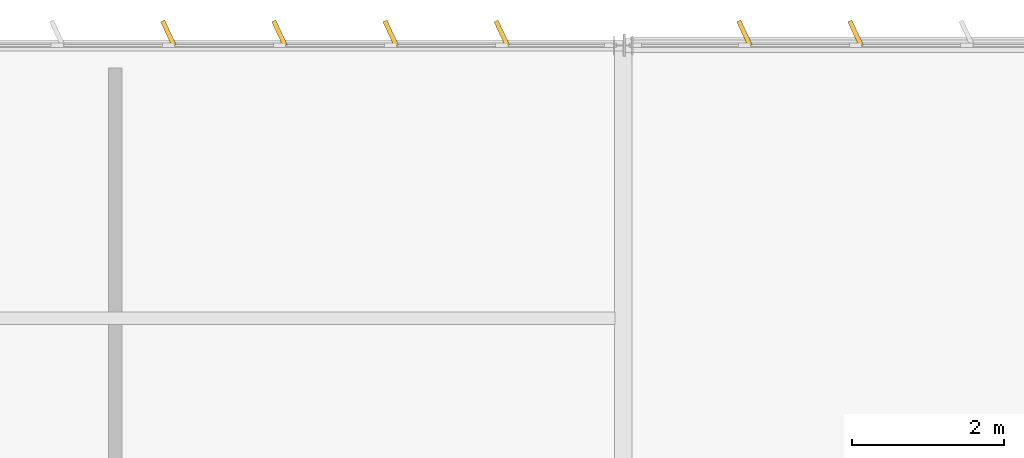
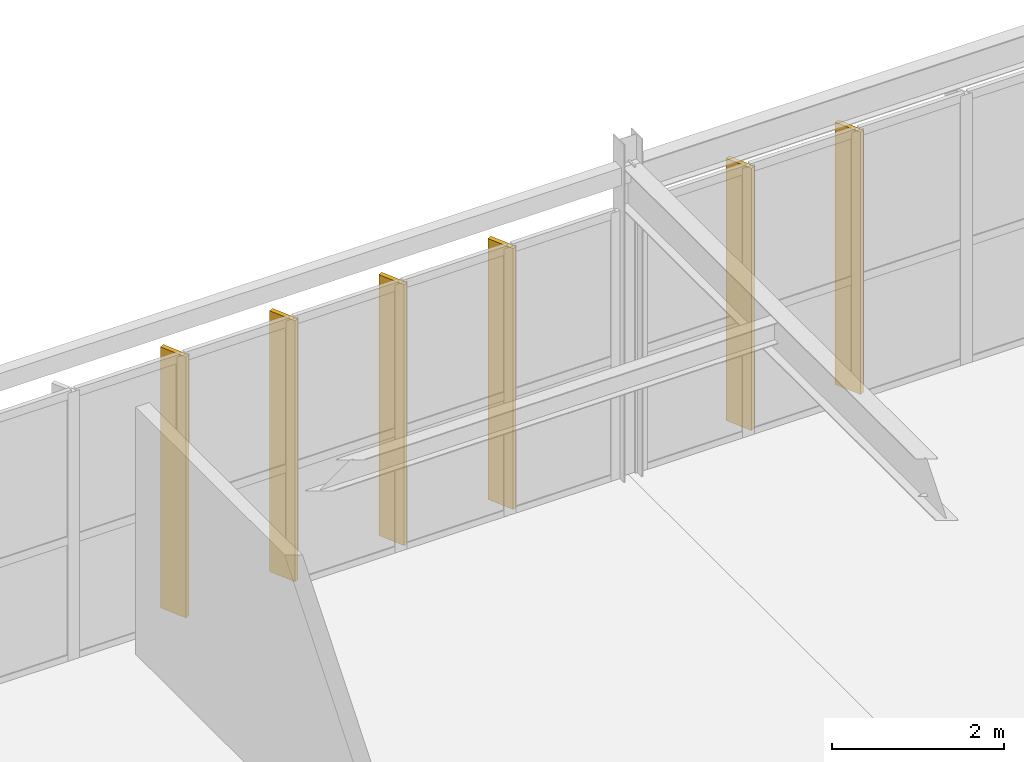
# One storey, part 210 of 226: 6 shading devices.
"""IFC4 building model written with IfcOpenShell, lengths in metres."""

from ifc_helpers import new_model, si_unit, direction, frame, origin, origin_2d, place, context, subcontext, project, spatial, rectangle, extrude, material, layer, layer_set, type_object, element, save


model = new_model("IFC4")

# Units and contexts
model_context = context("Model", 3, precision=1e-05, world=origin(), true_north=direction((0.0, 1.0)))
body_context = subcontext(model_context, "Body", "Model", "MODEL_VIEW")
ifc_project = project(units=[si_unit("LENGTHUNIT", "METRE"), si_unit("AREAUNIT", "SQUARE_METRE"), si_unit("VOLUMEUNIT", "CUBIC_METRE"), si_unit("PLANEANGLEUNIT", "RADIAN"), si_unit("MASSUNIT", "GRAM", prefix="KILO")], contexts=[model_context])

# Site, building, storey
site_placement = place(None, origin())
site = spatial("IfcSite", under=ifc_project, at=site_placement, CompositionType="ELEMENT")
building_placement = place(site_placement, origin())
building = spatial("IfcBuilding", under=site, at=building_placement, Name="Tarnwether General Hospital", CompositionType="ELEMENT")
storey_placement = place(building_placement, frame((0.0, 0.0, 4.800048828125)))
storey = spatial("IfcBuildingStorey", under=building, at=storey_placement, Name="L01", CompositionType="ELEMENT", Elevation=4.800048828125)

# Shading devices
ifc_material = material(Name="Champagne-bronze anodised aluminium", Category="aluminium")
ifc_layer = layer(ifc_material, 0.06005859375)
ifc_layer_set = layer_set([ifc_layer], Name="Champagne-bronze anodised aluminium")
shading_device_type = type_object("IfcShadingDeviceType", Name="SH-FIN-BRZ", PredefinedType="USERDEFINED", material=ifc_layer_set)
for number, where, z_axis, x_axis, name in (
    (1, (54.0, 126.159912109375, 0.050048828125), (0.0, 0.0, 1.0), (0.906307787037, 0.422618261741, 0.0), "Champagne-Bronze Brise-Soleil Fin 0190"),
    (2, (55.466064453125, 126.159912109375, 0.050048828125), (0.0, 0.0, 1.0), (0.906307787037, 0.422618261741, 0.0), "Champagne-Bronze Brise-Soleil Fin 0191"),
    (3, (56.93310546875, 126.159912109375, 0.050048828125), (0.0, 0.0, 1.0), (0.906307787037, 0.422618261741, 0.0), "Champagne-Bronze Brise-Soleil Fin 0192"),
    (4, (58.39892578125, 126.159912109375, 0.050048828125), (0.0, 0.0, 1.0), (0.906307787037, 0.422618261741, 0.0), "Champagne-Bronze Brise-Soleil Fin 0193"),
):
    element("IfcShadingDevice", number, at=place(storey_placement, frame(where, z_axis=z_axis, x_axis=x_axis)), inside=storey, type_object=shading_device_type, Name=name, ObjectType="SOLAR FIN", PredefinedType="USERDEFINED", context=body_context, shape_type="SweptSolid", body=[
        extrude(rectangle(XDim=0.06005859375, YDim=0.360107421875, at=origin_2d()), origin(), (0.0, 0.0, 1.0), 3.7080078125),
    ])
for number, where, z_axis, x_axis, name in (
    (5, (61.60107421875, 126.159912109375, 0.050048828125), (0.0, 0.0, 1.0), (0.906307787037, 0.422618261741, 0.0), "Champagne-Bronze Brise-Soleil Fin 0194"),
    (6, (63.06689453125, 126.159912109375, 0.050048828125), (0.0, 0.0, 1.0), (0.906307787037, 0.422618261741, 0.0), "Champagne-Bronze Brise-Soleil Fin 0195"),
):
    element("IfcShadingDevice", number, at=place(storey_placement, frame(where, z_axis=z_axis, x_axis=x_axis)), inside=storey, type_object=shading_device_type, Name=name, ObjectType="SOLAR FIN", PredefinedType="USERDEFINED", context=body_context, shape_type="SweptSolid", body=[
        extrude(rectangle(XDim=0.06005859375, YDim=0.360107421875, at=origin_2d()), origin(), (0.0, 0.0, 1.0), 3.72802734375),
    ])

save(model, "model.ifc")
